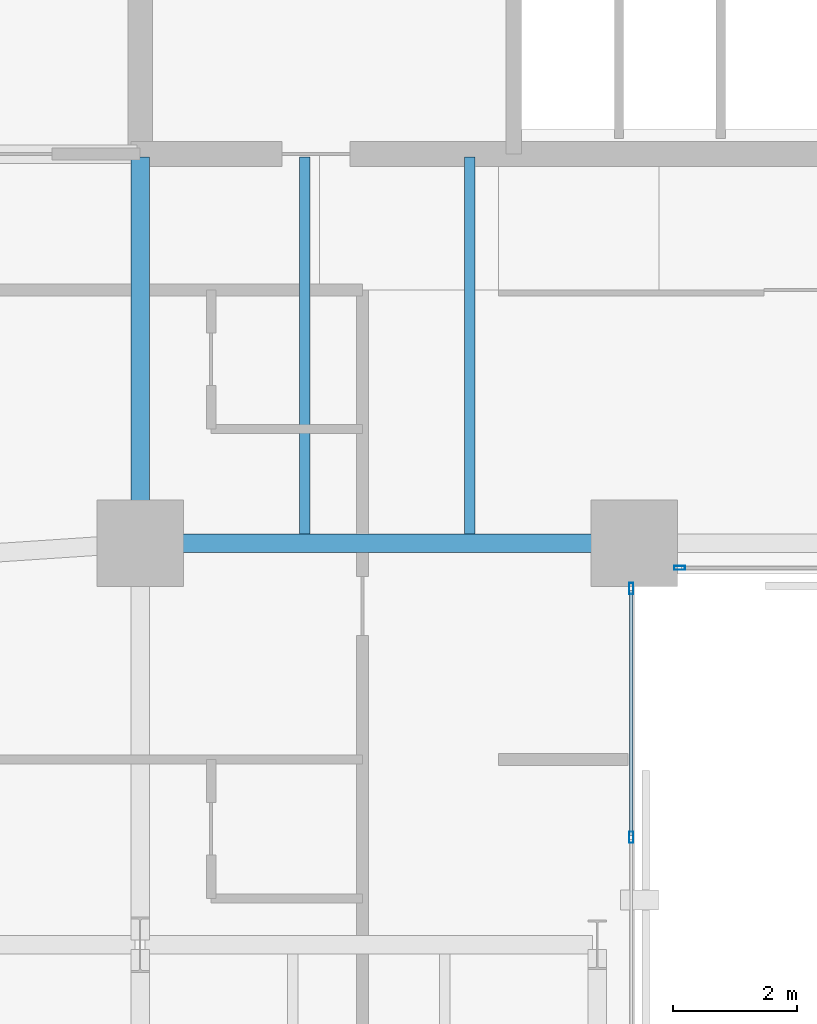
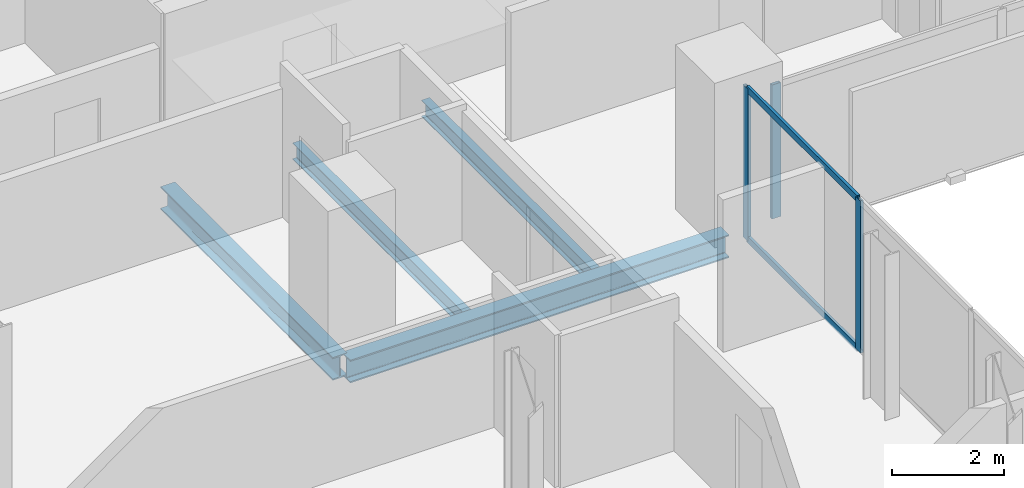
# One storey, part 13 of 33: 5 members, 4 beams, 2 elements without a shape of their own.
"""IFC4 building model written with IfcOpenShell, lengths in metres."""

from ifc_helpers import new_model, si_unit, direction, frame, origin, origin_2d, place, context, subcontext, project, spatial, hollow_rectangle, i_section, extrude, material, layer, layer_set, material_profile, profile_set, type_object, element, aggregate, save


model = new_model("IFC4")

# Units and contexts
model_context = context("Model", 3, precision=1e-05, world=origin(), true_north=direction((0.0, 1.0)))
body_context = subcontext(model_context, "Body", "Model", "MODEL_VIEW")
ifc_project = project(units=[si_unit("LENGTHUNIT", "METRE"), si_unit("AREAUNIT", "SQUARE_METRE"), si_unit("VOLUMEUNIT", "CUBIC_METRE"), si_unit("PLANEANGLEUNIT", "RADIAN"), si_unit("MASSUNIT", "GRAM", prefix="KILO")], contexts=[model_context])

# Site, building, storey
site_placement = place(None, origin())
site = spatial("IfcSite", under=ifc_project, at=site_placement, CompositionType="ELEMENT")
building_placement = place(site_placement, origin())
building = spatial("IfcBuilding", under=site, at=building_placement, Name="Catumbela Crestline Tower", CompositionType="ELEMENT")
storey_placement = place(building_placement, frame((0.0, 0.0, 47.4)))
storey = spatial("IfcBuildingStorey", under=building, at=storey_placement, Name="L11", CompositionType="ELEMENT", Elevation=47.4)

# Beams
ifc_material_1 = material(Name="Structural steel S355J2", Category="steel")
ifc_material_profile_1 = material_profile(ifc_material_1, i_section(OverallWidth=0.3, OverallDepth=0.5, WebThickness=0.0145, FlangeThickness=0.028, FilletRadius=0.027, at=origin_2d()), Name="HEB 500")
ifc_profile_set_1 = profile_set([ifc_material_profile_1], Name="Structural steel S355J2")
beam_type_1 = type_object("IfcBeamType", Name="BG-HEB500", PredefinedType="BEAM", material=ifc_profile_set_1)
beam_1_placement = place(storey_placement, frame((16.08, 24.5, -0.51), z_axis=(1.0, 0.0, 0.0), x_axis=(0.0, 1.0, 0.0)))
element("IfcBeam", 1, at=beam_1_placement, inside=storey, type_object=beam_type_1, Name="L11 Beam BM-L11-S04", PredefinedType="BEAM", context=body_context, shape_type="SweptSolid", body=[
    extrude(i_section(OverallWidth=0.3, OverallDepth=0.5, WebThickness=0.0145, FlangeThickness=0.028, FilletRadius=0.027, at=origin_2d()), origin(), (0.0, 0.0, 1.0), 7.84),
])
beam_2_placement = place(storey_placement, frame((16.0, 24.58, -0.51), z_axis=(0.0, 1.0, 0.0), x_axis=(-1.0, 0.0, 0.0)))
element("IfcBeam", 2, at=beam_2_placement, inside=storey, type_object=beam_type_1, Name="L11 Beam BM-L11-SNS31", PredefinedType="BEAM", context=body_context, shape_type="SweptSolid", body=[
    extrude(i_section(OverallWidth=0.3, OverallDepth=0.5, WebThickness=0.0145, FlangeThickness=0.028, FilletRadius=0.027, at=origin_2d()), origin(), (0.0, 0.0, 1.0), 6.17),
])
ifc_material_profile_2 = material_profile(ifc_material_1, i_section(OverallWidth=0.17, OverallDepth=0.36, WebThickness=0.008, FlangeThickness=0.0127, FilletRadius=0.018, at=origin_2d()), Name="IPE 360")
ifc_profile_set_2 = profile_set([ifc_material_profile_2], Name="Structural steel S355J2")
beam_type_2 = type_object("IfcBeamType", Name="BJ-IPE360", PredefinedType="JOIST", material=ifc_profile_set_2)
for number, where, z_axis, x_axis, name in (
    (3, (18.667, 24.647, -0.44), (0.0, 1.0, 0.0), (-1.0, 0.0, 0.0), "L11 Joist JS-L11-SP42"),
    (4, (21.333, 24.647, -0.44), (0.0, 1.0, 0.0), (-1.0, 0.0, 0.0), "L11 Joist JS-L11-SP43"),
):
    element("IfcBeam", number, at=place(storey_placement, frame(where, z_axis=z_axis, x_axis=x_axis)), inside=storey, type_object=beam_type_2, Name=name, PredefinedType="JOIST", context=body_context, shape_type="SweptSolid", body=[
        extrude(i_section(OverallWidth=0.17, OverallDepth=0.36, WebThickness=0.008, FlangeThickness=0.0127, FilletRadius=0.018, at=origin_2d()), origin(), (0.0, 0.0, 1.0), 6.103),
    ])

# Curtain wall, members
ifc_material_2 = material(Name="Aluminium alloy AW-6060-T66", Category="aluminium")
ifc_layer = layer(ifc_material_2, 0.18, Name="Aluminium alloy AW-6060-T66")
ifc_layer_set = layer_set([ifc_layer], Name="Aluminium alloy AW-6060-T66")
curtain_wall_type = type_object("IfcCurtainWallType", Name="CWU-Z1", PredefinedType="USERDEFINED", material=ifc_layer_set)
curtain_wall_1_placement = place(storey_placement, origin())
curtain_wall_1 = element("IfcCurtainWall", 5, at=curtain_wall_1_placement, inside=storey, type_object=curtain_wall_type, Name="L11 Unitised Curtain Wall CW-L11-E2S1", ObjectType="UNITISED", PredefinedType="USERDEFINED")
ifc_material_profile_3 = material_profile(ifc_material_2, hollow_rectangle(XDim=0.065, YDim=0.18, WallThickness=0.004, at=origin_2d()), Name="ALU 180x65x4")
ifc_profile_set_3 = profile_set([ifc_material_profile_3], Name="Aluminium alloy AW-6060-T66")
member_type_1 = type_object("IfcMemberType", Name="MUL-180X65", PredefinedType="MULLION", material=ifc_profile_set_3)
member_1_placement = place(storey_placement, frame((23.95, 19.74, 0.0), z_axis=(0.0, 0.0, 1.0), x_axis=(-1.0, 0.0, 0.0)))
member_1 = element("IfcMember", 6, at=member_1_placement, type_object=member_type_1, Name="CWU-Z1 mullion 5", PredefinedType="MULLION", context=body_context, shape_type="SweptSolid", body=[
    extrude(hollow_rectangle(XDim=0.065, YDim=0.18, WallThickness=0.004, at=origin_2d()), origin(), (0.0, 0.0, 1.0), 3.33),
])
member_2_placement = place(storey_placement, frame((23.95, 23.7675, 0.0), z_axis=(0.0, 0.0, 1.0), x_axis=(-1.0, 0.0, 0.0)))
member_2 = element("IfcMember", 7, at=member_2_placement, type_object=member_type_1, Name="CWU-Z1 mullion 6", PredefinedType="MULLION", context=body_context, shape_type="SweptSolid", body=[
    extrude(hollow_rectangle(XDim=0.065, YDim=0.18, WallThickness=0.004, at=origin_2d()), origin(), (0.0, 0.0, 1.0), 3.33),
])

# Curtain wall, member
curtain_wall_2_placement = place(storey_placement, origin())
curtain_wall_2 = element("IfcCurtainWall", 8, at=curtain_wall_2_placement, inside=storey, type_object=curtain_wall_type, Name="L11 Unitised Curtain Wall CW-L11-E3S1", ObjectType="UNITISED", PredefinedType="USERDEFINED")
member_3_placement = place(storey_placement, frame((24.7325, 24.1, 0.0), z_axis=(0.0, 0.0, 1.0), x_axis=(0.0, 1.0, 0.0)))
member_3 = element("IfcMember", 9, at=member_3_placement, type_object=member_type_1, Name="CWU-Z1 mullion 1", PredefinedType="MULLION", context=body_context, shape_type="SweptSolid", body=[
    extrude(hollow_rectangle(XDim=0.065, YDim=0.18, WallThickness=0.004, at=origin_2d()), origin(), (0.0, 0.0, 1.0), 2.93),
])
aggregate(curtain_wall_2, [member_3])

# Member
ifc_material_profile_4 = material_profile(ifc_material_2, hollow_rectangle(XDim=0.06, YDim=0.14, WallThickness=0.004, at=origin_2d()), Name="ALU 140x60x4")
ifc_profile_set_4 = profile_set([ifc_material_profile_4], Name="Aluminium alloy AW-6060-T66")
member_type_2 = type_object("IfcMemberType", Name="TRN-140X60", PredefinedType="USERDEFINED", material=ifc_profile_set_4)
member_4_placement = place(storey_placement, frame((23.95, 19.7725, 0.03), z_axis=(0.0, 1.0, 0.0), x_axis=(-1.0, 0.0, 0.0)))
member_4 = element("IfcMember", 10, at=member_4_placement, type_object=member_type_2, Name="CWU-Z1 transom 5.1", ObjectType="TRANSOM", PredefinedType="USERDEFINED", context=body_context, shape_type="SweptSolid", body=[
    extrude(hollow_rectangle(XDim=0.06, YDim=0.14, WallThickness=0.004, at=origin_2d()), origin(), (0.0, 0.0, 1.0), 3.9625),
])

member_5_placement = place(storey_placement, frame((23.95, 19.7725, 3.3), z_axis=(0.0, 1.0, 0.0), x_axis=(-1.0, 0.0, 0.0)))
member_5 = element("IfcMember", 11, at=member_5_placement, type_object=member_type_2, Name="CWU-Z1 transom 5.2", ObjectType="TRANSOM", PredefinedType="USERDEFINED", context=body_context, shape_type="SweptSolid", body=[
    extrude(hollow_rectangle(XDim=0.06, YDim=0.14, WallThickness=0.004, at=origin_2d()), origin(), (0.0, 0.0, 1.0), 3.9625),
])

aggregate(curtain_wall_1, [member_1, member_2, member_4, member_5])

save(model, "model.ifc")
